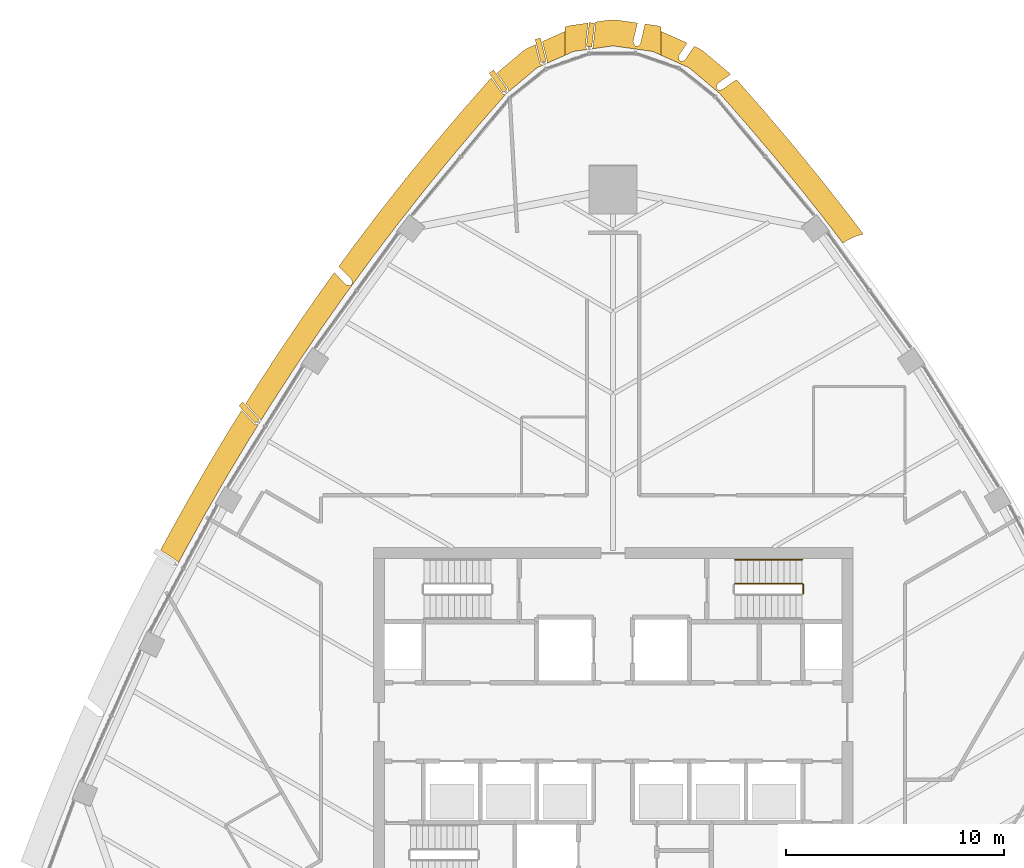
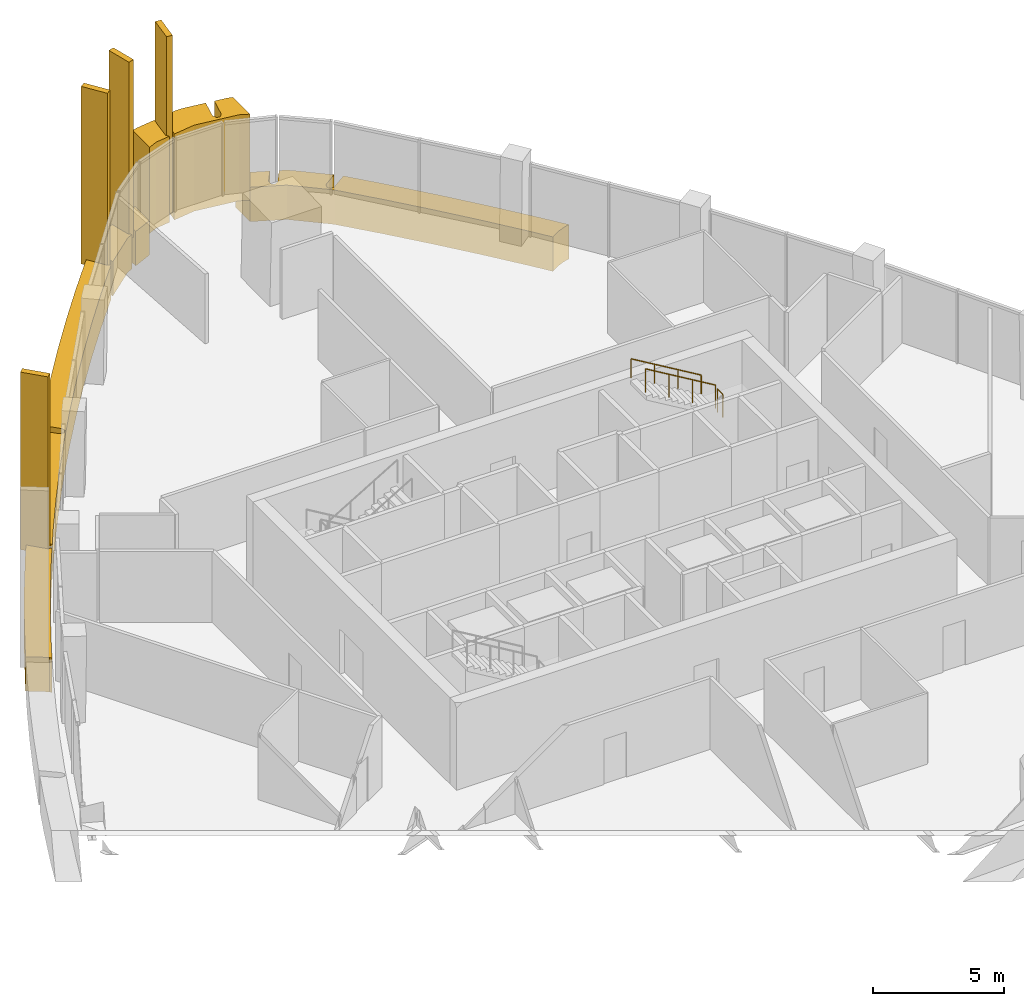
# One storey, part 15 of 16: 11 coverings, 3 railings.
"""IFC4 building model written with IfcOpenShell, lengths in metres."""

from ifc_helpers import new_model, si_unit, direction, frame, origin, origin_2d, place, context, subcontext, project, spatial, polyline, rectangle, circle, outline, extrude, material, layer, layer_set, material_profile, profile_set, type_object, element, save


model = new_model("IFC4")

# Units and contexts
model_context = context("Model", 3, precision=1e-05, world=origin(), true_north=direction((0.0, 1.0)))
body_context = subcontext(model_context, "Body", "Model", "MODEL_VIEW")
ifc_project = project(units=[si_unit("LENGTHUNIT", "METRE"), si_unit("AREAUNIT", "SQUARE_METRE"), si_unit("VOLUMEUNIT", "CUBIC_METRE"), si_unit("PLANEANGLEUNIT", "RADIAN"), si_unit("MASSUNIT", "GRAM", prefix="KILO")], contexts=[model_context])

# Site, building, storey
site_placement = place(None, origin())
site = spatial("IfcSite", under=ifc_project, at=site_placement, CompositionType="ELEMENT")
building_placement = place(site_placement, origin())
building = spatial("IfcBuilding", under=site, at=building_placement, Name="Sierra Prisma Convention Tower", CompositionType="ELEMENT")
storey_placement = place(building_placement, frame((0.0, 0.0, 271.0)))
storey = spatial("IfcBuildingStorey", under=building, at=storey_placement, Name="L61", CompositionType="ELEMENT", Elevation=271.0)

# Coverings
ifc_material_1 = material(Name="Aluminium composite bronze anodised", Category="aluminium")
ifc_layer_1 = layer(ifc_material_1, 1.199951171875)
ifc_layer_set_1 = layer_set([ifc_layer_1], Name="Bronze corner pier")
covering_type_1 = type_object("IfcCoveringType", Name="Bronze corner pier", PredefinedType="CLADDING", material=ifc_layer_set_1)
covering_1_placement = place(storey_placement, frame((0.0, 0.0, -0.60009765625)))
element("IfcCovering", 1, at=covering_1_placement, inside=storey, type_object=covering_type_1, Name="Corner pier N L61.1", PredefinedType="CLADDING", context=body_context, shape_type="SweptSolid", body=[
    extrude(outline(polyline([(0.987060546875, 31.0498046875), (0.989990234375, 31.046142578125), (0.99365234375, 31.042724609375), (0.997314453125, 31.039794921875), (1.001220703125, 31.037109375), (1.005615234375, 31.034912109375), (1.010009765625, 31.033203125), (1.0146484375, 31.031982421875), (1.019287109375, 31.031005859375), (1.118408203125, 31.01708984375), (1.123291015625, 31.0166015625), (1.1279296875, 31.0166015625), (1.1328125, 31.01708984375), (1.1376953125, 31.01806640625), (1.142333984375, 31.01953125), (1.146728515625, 31.021240234375), (1.15087890625, 31.023681640625), (1.155029296875, 31.0263671875), (1.15869140625, 31.029296875), (1.162353515625, 31.03271484375), (1.251220703125, 31.13037109375), (1.254638671875, 31.134521484375), (1.25732421875, 31.138671875), (1.259765625, 31.143310546875), (1.26171875, 31.14794921875), (1.26318359375, 31.15283203125), (1.46630859375, 32.030517578125), (1.98681640625, 31.95703125), (2.199951171875, 31.8955078125), (2.199951171875, 30.598388671875), (1.81884765625, 30.768798828125), (0.0, 31.025634765625), (-0.971923828125, 30.888427734375), (-0.934814453125, 30.950439453125), (-0.932373046875, 30.955078125), (-0.930419921875, 30.9599609375), (-0.928955078125, 30.96484375), (-0.927978515625, 30.969970703125), (-0.794677734375, 32.06201171875), (-0.794189453125, 32.06689453125), (-0.79443359375, 32.07177734375), (-0.794921875, 32.076416015625), (-0.796142578125, 32.081298828125), (-0.797607421875, 32.0859375), (-0.7998046875, 32.090576171875), (-0.802001953125, 32.0947265625), (-0.804931640625, 32.0986328125), (-0.80810546875, 32.1025390625), (-0.811767578125, 32.105712890625), (-0.8154296875, 32.10888671875), (-0.819580078125, 32.111572265625), (-0.82421875, 32.11376953125), (-0.82861328125, 32.115478515625), (-0.83349609375, 32.11669921875), (-0.838134765625, 32.11767578125), (-0.843994140625, 32.118408203125), (-0.167724609375, 32.2138671875), (0.167724609375, 32.2138671875), (1.118408203125, 32.07958984375), (0.922119140625, 31.231689453125), (0.921142578125, 31.226806640625), (0.9208984375, 31.2216796875), (0.9208984375, 31.216796875), (0.921630859375, 31.2119140625), (0.922607421875, 31.206787109375), (0.92431640625, 31.2021484375), (0.979736328125, 31.06201171875), (0.981689453125, 31.0576171875), (0.984130859375, 31.0537109375), (0.987060546875, 31.0498046875)])), origin(), (0.0, 0.0, 1.0), 4.0),
])
covering_2_placement = place(storey_placement, frame((0.0, 0.0, -0.60009765625)))
element("IfcCovering", 2, at=covering_2_placement, inside=storey, type_object=covering_type_1, Name="Corner pier N L61.2", PredefinedType="CLADDING", context=body_context, shape_type="SweptSolid", body=[
    extrude(outline(polyline([(-1.275634765625, 31.00244140625), (-1.275146484375, 30.99755859375), (-1.27392578125, 30.99267578125), (-1.2724609375, 30.988037109375), (-1.270263671875, 30.9833984375), (-1.267822265625, 30.979248046875), (-1.189208984375, 30.857666015625), (-1.81884765625, 30.768798828125), (-2.199951171875, 30.598388671875), (-2.199951171875, 31.8955078125), (-1.98681640625, 31.95703125), (-1.1455078125, 32.07568359375), (-1.275390625, 31.012451171875), (-1.27587890625, 31.007568359375), (-1.275634765625, 31.00244140625)])), origin(), (0.0, 0.0, 1.0), 4.0),
])
ifc_material_2 = material(Name="Aluminium 6063-T6 bronze anodised", Category="aluminium")
ifc_material_profile = material_profile(ifc_material_2, rectangle(XDim=1.10009765625, YDim=0.25, at=origin_2d()), Name="ALU FIN 1100x250")
ifc_profile_set = profile_set([ifc_material_profile], Name="Aluminium 6063-T6 bronze anodised")
covering_type_2 = type_object("IfcCoveringType", Name="Bronze facade fin", PredefinedType="CLADDING", material=ifc_profile_set)
for number, where, z_axis, x_axis, name in (
    (3, (-1.03515625, 31.537109375, -0.300048828125), (0.0, 0.0, 1.0), (0.121271825471, 0.992619335066, 0.0), "Fin L61.43"),
    (4, (-3.3251953125, 30.81982421875, -0.300048828125), (0.0, 0.0, 1.0), (-0.24367380469, 0.969857245634, 0.0), "Fin L61.44"),
    (5, (-5.266845703125, 29.3974609375, -0.300048828125), (0.0, 0.0, 1.0), (-0.576039412413, 0.817421920031, 0.0), "Fin L61.45"),
    (6, (-16.7041015625, 14.192626953125, -0.300048828125), (0.0, 0.0, 1.0), (-0.681347535526, 0.73196006437, 0.0), "Fin L61.52"),
):
    element("IfcCovering", number, at=place(storey_placement, frame(where, z_axis=z_axis, x_axis=x_axis)), inside=storey, type_object=covering_type_2, Name=name, ObjectType="FIN", PredefinedType="CLADDING", context=body_context, shape_type="SweptSolid", body=[
        extrude(rectangle(XDim=1.10009765625, YDim=0.25, at=origin_2d()), origin(), (0.0, 0.0, 1.0), 8.25),
    ])
ifc_material_3 = material(Name="Aluminium composite bronze anodised", Category="aluminium")
ifc_layer_2 = layer(ifc_material_3, 1.0)
ifc_layer_set_2 = layer_set([ifc_layer_2], Name="Bronze spandrel band")
covering_type_3 = type_object("IfcCoveringType", Name="Bronze spandrel band", PredefinedType="CLADDING", material=ifc_layer_set_2)
covering_3_placement = place(storey_placement, frame((0.0, 0.0, -1.60009765625)))
element("IfcCovering", 7, at=covering_3_placement, inside=storey, type_object=covering_type_3, Name="Spandrel band L61.5", PredefinedType="CLADDING", context=body_context, shape_type="SweptSolid", body=[
    extrude(outline(polyline([(-17.50830078125, 13.5654296875), (-17.04638671875, 14.303466796875), (-16.45751953125, 13.6708984375), (-16.453857421875, 13.66748046875), (-16.449951171875, 13.664306640625), (-16.44580078125, 13.66162109375), (-16.44140625, 13.659423828125), (-16.436767578125, 13.65771484375), (-16.431884765625, 13.65625), (-16.427001953125, 13.655517578125), (-16.283447265625, 13.637451171875), (-16.660888671875, 13.03466796875), (-17.67724609375, 11.344482421875), (-18.663330078125, 9.63671875), (-19.618896484375, 7.911376953125), (-19.949462890625, 7.2880859375), (-19.9951171875, 7.374755859375), (-19.997802734375, 7.379150390625), (-20.000732421875, 7.38330078125), (-20.004150390625, 7.386962890625), (-20.008056640625, 7.390380859375), (-20.01220703125, 7.393310546875), (-20.76611328125, 7.882080078125), (-20.502197265625, 8.3798828125), (-20.49365234375, 8.395751953125), (-19.5380859375, 10.12109375), (-19.529296875, 10.13671875), (-18.543212890625, 11.844482421875), (-18.5341796875, 11.860107421875), (-17.517578125, 13.550048828125), (-17.50830078125, 13.5654296875)])), origin(), (0.0, 0.0, 1.0), 1.60009765625),
])
covering_4_placement = place(storey_placement, frame((0.0, 0.0, -1.60009765625)))
element("IfcCovering", 8, at=covering_4_placement, inside=storey, type_object=covering_type_3, Name="Spandrel band L61.6", PredefinedType="CLADDING", context=body_context, shape_type="SweptSolid", body=[
    extrude(outline(polyline([(-12.79345703125, 20.62109375), (-12.264404296875, 20.0703125), (-12.260986328125, 20.067138671875), (-12.257080078125, 20.064208984375), (-12.25341796875, 20.061767578125), (-12.249267578125, 20.0595703125), (-12.244873046875, 20.057861328125), (-12.240478515625, 20.056396484375), (-12.23583984375, 20.0556640625), (-12.078369140625, 20.031005859375), (-12.073486328125, 20.030517578125), (-12.068359375, 20.030517578125), (-12.0634765625, 20.031005859375), (-12.05859375, 20.031982421875), (-12.0537109375, 20.033447265625), (-12.04931640625, 20.035400390625), (-12.044921875, 20.03759765625), (-12.040771484375, 20.040283203125), (-12.036865234375, 20.043701171875), (-12.033447265625, 20.047119140625), (-12.0302734375, 20.051025390625), (-11.97119140625, 20.131591796875), (-11.968505859375, 20.135986328125), (-11.966064453125, 20.140625), (-11.964111328125, 20.1455078125), (-11.962890625, 20.150390625), (-11.9619140625, 20.155517578125), (-11.961669921875, 20.16064453125), (-11.9619140625, 20.166015625), (-11.962646484375, 20.1708984375), (-11.9638671875, 20.176025390625), (-12.000244140625, 20.29296875), (-12.001708984375, 20.29736328125), (-12.003662109375, 20.301513671875), (-12.006103515625, 20.3056640625), (-12.0087890625, 20.309326171875), (-12.011962890625, 20.31298828125), (-12.583740234375, 20.907958984375), (-11.941162109375, 21.787353515625), (-11.930419921875, 21.8017578125), (-10.73876953125, 23.373046875), (-10.727783203125, 23.38720703125), (-9.508056640625, 24.93701171875), (-9.496826171875, 24.951171875), (-8.24951171875, 26.478759765625), (-8.238037109375, 26.492431640625), (-6.963623046875, 27.997802734375), (-6.951904296875, 28.01123046875), (-5.65087890625, 29.493408203125), (-5.59033203125, 29.552734375), (-5.093017578125, 28.846923828125), (-5.090087890625, 28.843017578125), (-5.08642578125, 28.83935546875), (-5.082763671875, 28.836181640625), (-5.07861328125, 28.833251953125), (-5.07421875, 28.830810546875), (-5.069580078125, 28.828857421875), (-4.944091796875, 28.78271484375), (-6.200439453125, 27.3515625), (-7.474853515625, 25.84619140625), (-8.72216796875, 24.318603515625), (-9.94189453125, 22.768798828125), (-11.1337890625, 21.197509765625), (-12.29736328125, 19.60498046875), (-13.43212890625, 17.991943359375), (-14.537841796875, 16.35888671875), (-15.6142578125, 14.706298828125), (-16.1669921875, 13.8232421875), (-16.190673828125, 13.8916015625), (-16.192626953125, 13.896484375), (-16.195068359375, 13.901123046875), (-16.197998046875, 13.905517578125), (-16.201416015625, 13.909423828125), (-16.85400390625, 14.610595703125), (-16.461669921875, 15.237060546875), (-16.4521484375, 15.252197265625), (-15.375732421875, 16.90478515625), (-15.365966796875, 16.919677734375), (-14.260009765625, 18.552734375), (-14.25, 18.5673828125), (-13.114990234375, 20.180419921875), (-13.104736328125, 20.19482421875), (-12.79345703125, 20.62109375)])), origin(), (0.0, 0.0, 1.0), 1.60009765625),
])
covering_5_placement = place(storey_placement, frame((0.0, 0.0, -1.60009765625)))
element("IfcCovering", 9, at=covering_5_placement, inside=storey, type_object=covering_type_3, Name="Spandrel band L61.7", PredefinedType="CLADDING", context=body_context, shape_type="SweptSolid", body=[
    extrude(outline(polyline([(-3.34716796875, 30.2197265625), (-3.34375, 30.216796875), (-3.2392578125, 30.13330078125), (-3.49560546875, 30.0185546875), (-4.7880859375, 28.927490234375), (-4.798095703125, 29.02490234375), (-4.798828125, 29.030029296875), (-4.80029296875, 29.034912109375), (-4.802001953125, 29.039794921875), (-4.80419921875, 29.044189453125), (-4.806884765625, 29.048583984375), (-5.32470703125, 29.783203125), (-4.140869140625, 30.78271484375), (-3.904052734375, 30.931396484375), (-3.5712890625, 31.080322265625), (-3.361083984375, 30.24365234375), (-3.359619140625, 30.2392578125), (-3.35791015625, 30.23486328125), (-3.355712890625, 30.230712890625), (-3.353271484375, 30.226806640625), (-3.350341796875, 30.22314453125), (-3.34716796875, 30.2197265625)])), origin(), (0.0, 0.0, 1.0), 1.60009765625),
])
covering_6_placement = place(storey_placement, frame((0.0, 0.0, -1.60009765625)))
element("IfcCovering", 10, at=covering_6_placement, inside=storey, type_object=covering_type_3, Name="Spandrel band L61.8", PredefinedType="CLADDING", context=body_context, shape_type="SweptSolid", body=[
    extrude(outline(polyline([(-3.0205078125, 30.310546875), (-3.02001953125, 30.315185546875), (-3.02001953125, 30.31982421875), (-3.0205078125, 30.324462890625), (-3.021484375, 30.328857421875), (-3.246826171875, 31.2255859375), (-2.227294921875, 31.681640625), (-2.2099609375, 31.6865234375), (-2.2099609375, 30.59375), (-3.039794921875, 30.22265625), (-3.021240234375, 30.305908203125), (-3.0205078125, 30.310546875)])), origin(), (0.0, 0.0, 1.0), 1.60009765625),
])
covering_7_placement = place(storey_placement, frame((0.0, 0.0, -1.60009765625)))
element("IfcCovering", 11, at=covering_7_placement, inside=storey, type_object=covering_type_3, Name="Spandrel band L61.9", PredefinedType="CLADDING", context=body_context, shape_type="SweptSolid", body=[
    extrude(outline(polyline([(3.019775390625, 30.59130859375), (3.017333984375, 30.58740234375), (3.015380859375, 30.5830078125), (3.013671875, 30.57861328125), (3.012451171875, 30.57421875), (3.01171875, 30.569580078125), (3.01123046875, 30.565185546875), (3.01123046875, 30.560302734375), (3.02001953125, 30.401123046875), (3.0205078125, 30.396240234375), (3.021484375, 30.391357421875), (3.023193359375, 30.38671875), (3.025146484375, 30.382080078125), (3.027587890625, 30.377685546875), (3.0302734375, 30.37353515625), (3.033447265625, 30.369873046875), (3.037109375, 30.366455078125), (3.041015625, 30.36328125), (3.045166015625, 30.360595703125), (3.049560546875, 30.3583984375), (3.140869140625, 30.3173828125), (3.145751953125, 30.315673828125), (3.150634765625, 30.314208984375), (3.15576171875, 30.3134765625), (3.160888671875, 30.31298828125), (3.166015625, 30.3134765625), (3.171142578125, 30.314208984375), (3.17626953125, 30.3154296875), (3.18115234375, 30.317138671875), (3.185791015625, 30.319580078125), (3.29248046875, 30.37939453125), (3.296630859375, 30.3818359375), (3.30029296875, 30.384521484375), (3.3037109375, 30.3876953125), (3.306884765625, 30.39111328125), (3.3095703125, 30.39501953125), (3.726806640625, 31.0107421875), (3.904052734375, 30.931396484375), (4.140869140625, 30.78271484375), (5.399658203125, 29.719970703125), (4.808837890625, 29.30908203125), (4.8046875, 29.30615234375), (4.80126953125, 29.302734375), (4.798095703125, 29.298828125), (4.795166015625, 29.294921875), (4.79248046875, 29.29052734375), (4.79052734375, 29.285888671875), (4.7890625, 29.28125), (4.744873046875, 29.119140625), (4.743896484375, 29.114501953125), (4.7431640625, 29.10986328125), (4.7431640625, 29.105224609375), (4.743408203125, 29.100341796875), (4.744140625, 29.095703125), (4.745361328125, 29.09130859375), (4.746826171875, 29.086669921875), (4.748779296875, 29.08251953125), (4.75146484375, 29.078369140625), (4.754150390625, 29.07470703125), (4.75732421875, 29.071044921875), (4.7607421875, 29.06787109375), (4.837158203125, 29.00341796875), (4.841064453125, 29.000244140625), (4.84521484375, 28.997802734375), (4.849853515625, 28.99560546875), (4.8544921875, 28.993896484375), (4.859130859375, 28.99267578125), (4.864013671875, 28.99169921875), (4.869140625, 28.991455078125), (4.8740234375, 28.99169921875), (4.87890625, 28.992431640625), (4.989501953125, 29.013671875), (4.99462890625, 29.014892578125), (4.99951171875, 29.016845703125), (5.004150390625, 29.01904296875), (5.008544921875, 29.021728515625), (5.66455078125, 29.477783203125), (6.951904296875, 28.01123046875), (6.963623046875, 27.997802734375), (8.238037109375, 26.492431640625), (8.24951171875, 26.478759765625), (9.496826171875, 24.951171875), (9.508056640625, 24.93701171875), (10.727783203125, 23.38720703125), (10.73876953125, 23.373046875), (11.489013671875, 22.3837890625), (11.41943359375, 22.370849609375), (11.1826171875, 22.3017578125), (10.953857421875, 22.209716796875), (10.735107421875, 22.095703125), (10.5458984375, 21.972412109375), (9.94189453125, 22.768798828125), (8.72216796875, 24.318603515625), (7.474853515625, 25.84619140625), (6.200439453125, 27.3515625), (4.8994140625, 28.83349609375), (3.49560546875, 30.0185546875), (2.2099609375, 30.59375), (2.2099609375, 31.6865234375), (2.227294921875, 31.681640625), (3.40234375, 31.156005859375), (3.019775390625, 30.59130859375)])), origin(), (0.0, 0.0, 1.0), 1.60009765625),
])

# Railings
ifc_material_4 = material(Name="Stainless steel", Category="steel")
railing_type_1 = type_object("IfcRailingType", Name="Exit stair handrail", PredefinedType="HANDRAIL", material=ifc_material_4)
railing_1_placement = place(storey_placement, frame((8.679931640625, 7.449951171875, 2.166748046875)))
element("IfcRailing", 12, at=railing_1_placement, inside=storey, type_object=railing_type_1, Name="L61 S4 stair handrail 2", PredefinedType="HANDRAIL", context=body_context, shape_type="SweptSolid", body=[
    extrude(circle(Radius=0.02392578125, at=origin_2d()), frame((0.0, 0.0, 0.8759765625), z_axis=(-0.859290745958, 0.0, 0.51148745235), x_axis=(0.0, -1.0, 0.0)), (0.0, 0.0, 1.0), 3.584228515625),
    extrude(circle(Radius=0.02099609375, at=origin_2d()), origin(), (0.0, 0.0, 1.0), 0.851806640625),
    extrude(circle(Radius=0.02099609375, at=origin_2d()), frame((-1.026611328125, 0.0, 0.611083984375)), (0.0, 0.0, 1.0), 0.851806640625),
    extrude(circle(Radius=0.02099609375, at=origin_2d()), frame((-2.05322265625, 0.0, 1.22216796875)), (0.0, 0.0, 1.0), 0.851806640625),
    extrude(circle(Radius=0.02099609375, at=origin_2d()), frame((-3.079833984375, 0.0, 1.833251953125)), (0.0, 0.0, 1.0), 0.851806640625),
])
ifc_material_5 = material(Name="Stainless steel", Category="steel")
railing_type_2 = type_object("IfcRailingType", Name="Stair guard 1100", PredefinedType="GUARDRAIL", material=ifc_material_5)
railing_2_placement = place(storey_placement, frame((8.72998046875, 5.89990234375, 2.0)))
element("IfcRailing", 13, at=railing_2_placement, inside=storey, type_object=railing_type_2, Name="L61 S4 stair guard 2", PredefinedType="GUARDRAIL", context=body_context, shape_type="SweptSolid", body=[
    extrude(circle(Radius=0.02392578125, at=origin_2d()), frame((0.0, 0.0, 1.076171875), z_axis=(0.0, 1.0, 0.0), x_axis=(-1.0, 0.0, 0.0)), (0.0, 0.0, 1.0), 0.400146484375),
    extrude(circle(Radius=0.02099609375, at=origin_2d()), origin(), (0.0, 0.0, 1.0), 1.052001953125),
    extrude(circle(Radius=0.02099609375, at=origin_2d()), frame((0.0, 0.400146484375, 0.0)), (0.0, 0.0, 1.0), 1.052001953125),
])
railing_3_placement = place(storey_placement, frame((8.679931640625, 6.35009765625, 2.166748046875)))
element("IfcRailing", 14, at=railing_3_placement, inside=storey, type_object=railing_type_2, Name="L61 S4 stair guard 3", PredefinedType="GUARDRAIL", context=body_context, shape_type="SweptSolid", body=[
    extrude(circle(Radius=0.02392578125, at=origin_2d()), frame((0.0, 0.0, 1.076171875), z_axis=(-0.859290745958, 0.0, 0.51148745235), x_axis=(0.0, -1.0, 0.0)), (0.0, 0.0, 1.0), 3.584228515625),
    extrude(circle(Radius=0.02099609375, at=origin_2d()), origin(), (0.0, 0.0, 1.0), 1.052001953125),
    extrude(circle(Radius=0.02099609375, at=origin_2d()), frame((-1.026611328125, 0.0, 0.611083984375)), (0.0, 0.0, 1.0), 1.052001953125),
    extrude(circle(Radius=0.02099609375, at=origin_2d()), frame((-2.05322265625, 0.0, 1.22216796875)), (0.0, 0.0, 1.0), 1.052001953125),
    extrude(circle(Radius=0.02099609375, at=origin_2d()), frame((-3.079833984375, 0.0, 1.833251953125)), (0.0, 0.0, 1.0), 1.052001953125),
])

save(model, "model.ifc")
